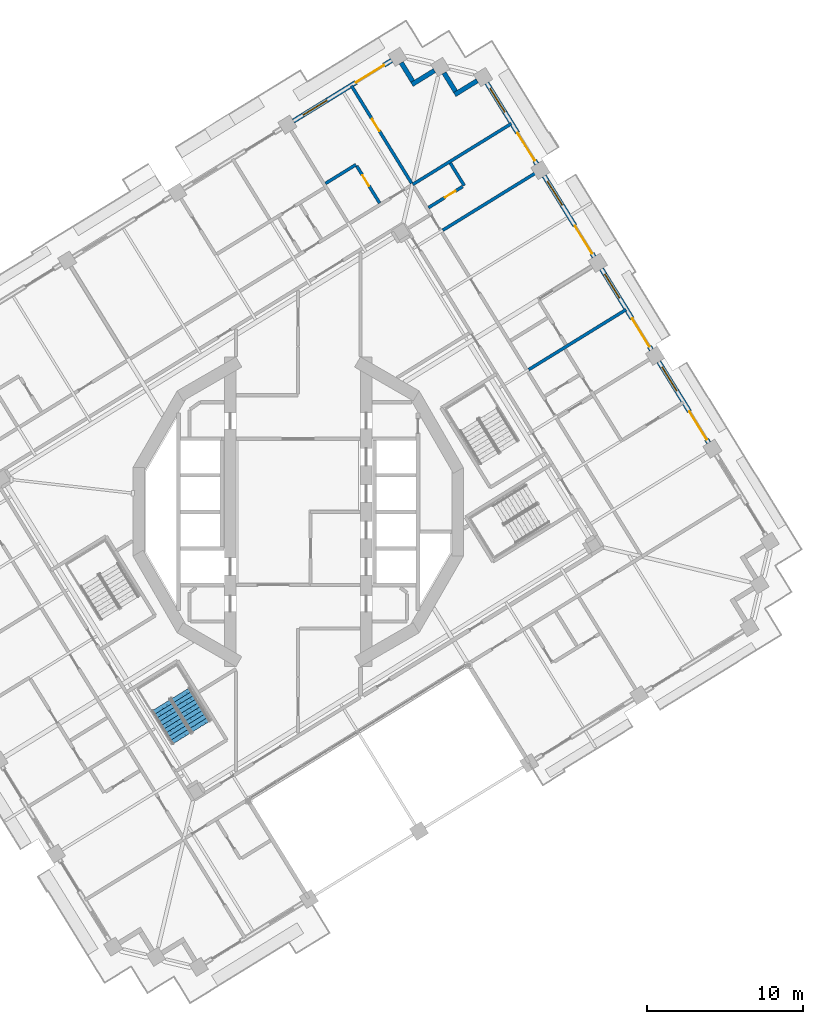
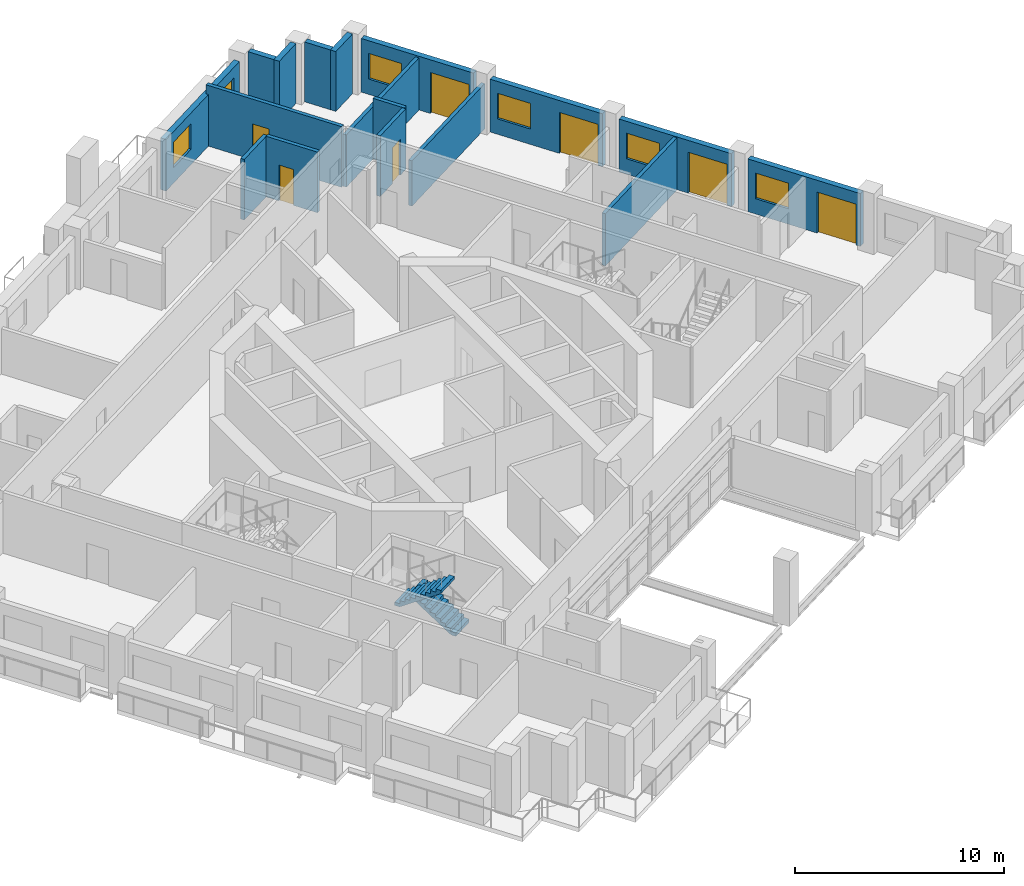
# One storey, part 14 of 22: 17 walls, 8 doors, 5 windows, 2 stair flights, 13 openings, 1 element without a shape of its own.
"""IFC4 building model written with IfcOpenShell, lengths in metres."""

from ifc_helpers import new_model, si_unit, direction, frame, frame_2d, origin, place, context, subcontext, project, spatial, polyline, rectangle, outline, extrude, material, layer, layer_set, type_object, element, fill, aggregate, save


model = new_model("IFC4")

# Units and contexts
model_context = context("Model", 3, precision=1e-05, world=origin(), true_north=direction((0.0, 1.0)))
body_context = subcontext(model_context, "Body", "Model", "MODEL_VIEW")
ifc_project = project(units=[si_unit("LENGTHUNIT", "METRE"), si_unit("AREAUNIT", "SQUARE_METRE"), si_unit("VOLUMEUNIT", "CUBIC_METRE"), si_unit("PLANEANGLEUNIT", "RADIAN"), si_unit("MASSUNIT", "GRAM", prefix="KILO")], contexts=[model_context])

# Site, building, storey
site_placement = place(None, origin())
site = spatial("IfcSite", under=ifc_project, at=site_placement, CompositionType="ELEMENT")
building_placement = place(site_placement, origin())
building = spatial("IfcBuilding", under=site, at=building_placement, Name="Cantera Rosa Tower", CompositionType="ELEMENT")
storey_placement = place(building_placement, frame((0.0, 0.0, 174.199951171875)))
storey = spatial("IfcBuildingStorey", under=building, at=storey_placement, Name="L38", CompositionType="ELEMENT", Elevation=174.199951171875)

# Walls
ifc_material_1 = material(Name="Hollow clay masonry with cantera stone cladding", Category="masonry")
ifc_layer_1 = layer(ifc_material_1, 0.300048828125)
ifc_layer_set_1 = layer_set([ifc_layer_1], Name="EW-LOGGIA 300")
wall_type_1 = type_object("IfcWallType", Name="EW-LOGGIA 300", PredefinedType="SOLIDWALL", material=ifc_layer_set_1)
wall_1_placement = place(storey_placement, frame((11.51123046875, 27.72021484375, 0.0), z_axis=(0.0, 0.0, 1.0), x_axis=(-0.851130227454, -0.524954603669, 0.0)))
element("IfcWall", 1, at=wall_1_placement, inside=storey, type_object=wall_type_1, Name="EN-L38-W06a", PredefinedType="SOLIDWALL", context=body_context, shape_type="SweptSolid", body=[
    extrude(rectangle(XDim=1.699951171875, YDim=0.300048828125, at=frame_2d((0.85009765625, 0.0))), origin(), (0.0, 0.0, 1.0), 3.5),
])
wall_2_placement = place(storey_placement, frame((10.11328125, 27.0341796875, 0.0), z_axis=(0.0, 0.0, 1.0), x_axis=(-0.524895019961, 0.85116697423, 0.0)))
element("IfcWall", 2, at=wall_2_placement, inside=storey, type_object=wall_type_1, Name="EN-L38-W06b", PredefinedType="SOLIDWALL", context=body_context, shape_type="SweptSolid", body=[
    extrude(rectangle(XDim=1.39990234375, YDim=0.300048828125, at=frame_2d((0.699951171875, 0.0))), origin(), (0.0, 0.0, 1.0), 3.5),
])
wall_3_placement = place(storey_placement, frame((8.75927734375, 28.37255859375, 0.0), z_axis=(0.0, 0.0, 1.0), x_axis=(-0.851105638601, -0.524994468487, 0.0)))
element("IfcWall", 3, at=wall_3_placement, inside=storey, type_object=wall_type_1, Name="EN-L38-W07a", PredefinedType="SOLIDWALL", context=body_context, shape_type="SweptSolid", body=[
    extrude(rectangle(XDim=1.7001953125, YDim=0.300048828125, at=frame_2d((0.85009765625, 0.0))), origin(), (0.0, 0.0, 1.0), 3.5),
])
wall_4_placement = place(storey_placement, frame((7.361083984375, 27.6865234375, 0.0), z_axis=(0.0, 0.0, 1.0), x_axis=(-0.524895019961, 0.85116697423, 0.0)))
element("IfcWall", 4, at=wall_4_placement, inside=storey, type_object=wall_type_1, Name="EN-L38-W07b", PredefinedType="SOLIDWALL", context=body_context, shape_type="SweptSolid", body=[
    extrude(rectangle(XDim=1.39990234375, YDim=0.300048828125, at=frame_2d((0.699951171875, 0.0))), origin(), (0.0, 0.0, 1.0), 3.5),
])

# Wall, openings, window, door
ifc_material_2 = material(Name="Hollow clay masonry with cantera stone cladding", Category="masonry")
ifc_layer_2 = layer(ifc_material_2, 0.300048828125)
ifc_layer_set_2 = layer_set([ifc_layer_2], Name="EW-LOGGIA 300 H3020")
wall_type_2 = type_object("IfcWallType", Name="EW-LOGGIA 300 H3020", PredefinedType="SOLIDWALL", material=ifc_layer_set_2)
wall_5_placement = place(storey_placement, frame((6.007080078125, 29.02490234375, 0.0), z_axis=(0.0, 0.0, 1.0), x_axis=(-0.851111085575, -0.524985637909, 0.0)))
wall_5 = element("IfcWall", 5, at=wall_5_placement, inside=storey, type_object=wall_type_2, Name="EN-L38-W08", PredefinedType="SOLIDWALL", context=body_context, shape_type="SweptSolid", body=[
    extrude(rectangle(XDim=7.420166015625, YDim=0.300048828125, at=frame_2d((3.7099609375, 0.0))), origin(), (0.0, 0.0, 1.0), 3.02001953125),
])
opening_1_placement = place(wall_5_placement, frame((0.580078125, 0.0, 0.0)))
opening_1 = element("IfcOpeningElement", 6, at=opening_1_placement, cuts=wall_5, Name="Opening L38-TD11", PredefinedType="OPENING", context=body_context, shape_type="SweptSolid", body=[
    extrude(rectangle(XDim=2.10009765625, YDim=2.39990234375, at=frame_2d((1.050048828125, 1.199951171875))), frame((0.0, 0.159912109375, 0.0), z_axis=(0.0, -1.0, 0.0), x_axis=(1.0, 0.0, 0.0)), (0.0, 0.0, 1.0), 0.320068359375),
])
opening_2_placement = place(wall_5_placement, frame((4.889892578125, 0.0, 0.89990234375)))
opening_2 = element("IfcOpeningElement", 7, at=opening_2_placement, cuts=wall_5, Name="Opening L38-W12", PredefinedType="OPENING", context=body_context, shape_type="SweptSolid", body=[
    extrude(rectangle(XDim=1.800048828125, YDim=1.5, at=frame_2d((0.89990234375, 0.75))), frame((0.0, 0.159912109375, 0.0), z_axis=(0.0, -1.0, 0.0), x_axis=(1.0, 0.0, 0.0)), (0.0, 0.0, 1.0), 0.320068359375),
])
ifc_material_3 = material(Name="Aluminium frame with clear glass", Category="aluminium")
window_type = type_object("IfcWindowType", Name="Hotel room window 1800x1500", PartitioningType="DOUBLE_PANEL_VERTICAL", PredefinedType="WINDOW", material=ifc_material_3)
window_1_placement = place(opening_2_placement, origin())
window_1 = element("IfcWindow", 8, at=window_1_placement, inside=storey, type_object=window_type, Name="WINDOW L38-W12", OverallHeight=1.5, OverallWidth=1.800048828125, PartitioningType="SINGLE_PANEL", PredefinedType="WINDOW", context=body_context, shape_type="SweptSolid", body=[
    extrude(rectangle(XDim=1.800048828125, YDim=1.5, at=frame_2d((0.89990234375, 0.75))), frame((0.0, 0.030029296875, 0.0), z_axis=(0.0, -1.0, 0.0), x_axis=(1.0, 0.0, 0.0)), (0.0, 0.0, 1.0), 0.06005859375),
])
fill(opening_2, window_1)
ifc_material_4 = material(Name="Aluminium frame with clear glass", Category="aluminium")
door_type_1 = type_object("IfcDoorType", Name="TD-H 2100x2400", OperationType="NOTDEFINED", PredefinedType="DOOR", material=ifc_material_4)
door_1_placement = place(opening_1_placement, origin())
door_1 = element("IfcDoor", 9, at=door_1_placement, inside=storey, type_object=door_type_1, Name="LOGGIA DOOR L38-TD11", OperationType="SLIDING_TO_LEFT", OverallHeight=2.39990234375, OverallWidth=2.10009765625, PredefinedType="DOOR", context=body_context, shape_type="SweptSolid", body=[
    extrude(rectangle(XDim=2.10009765625, YDim=2.39990234375, at=frame_2d((1.050048828125, 1.199951171875))), frame((0.0, 0.02490234375, 0.0), z_axis=(0.0, -1.0, 0.0), x_axis=(1.0, 0.0, 0.0)), (0.0, 0.0, 1.0), 0.050048828125),
])
fill(opening_1, door_1)

ifc_material_5 = material(Name="Hollow clay masonry with cantera stone cladding", Category="masonry")
ifc_layer_3 = layer(ifc_material_5, 0.300048828125)
ifc_layer_set_3 = layer_set([ifc_layer_3], Name="EW-LOGGIA 300 H3090")
wall_type_3 = type_object("IfcWallType", Name="EW-LOGGIA 300 H3090", PredefinedType="SOLIDWALL", material=ifc_layer_set_3)
wall_6_placement = place(storey_placement, frame((26.3994140625, 4.440185546875, 0.0), z_axis=(0.0, 0.0, 1.0), x_axis=(-0.524987447654, 0.851109969279, 0.0)))
wall_6 = element("IfcWall", 10, at=wall_6_placement, inside=storey, type_object=wall_type_3, Name="EN-L38-W02", PredefinedType="SOLIDWALL", context=body_context, shape_type="SweptSolid", body=[
    extrude(rectangle(XDim=6.119873046875, YDim=0.300048828125, at=frame_2d((3.06005859375, 0.0))), origin(), (0.0, 0.0, 1.0), 3.090087890625),
])
opening_3_placement = place(wall_6_placement, frame((0.2548828125, 0.0, 0.0)))
opening_3 = element("IfcOpeningElement", 11, at=opening_3_placement, cuts=wall_6, Name="Opening L38-TD03", PredefinedType="OPENING", context=body_context, shape_type="SweptSolid", body=[
    extrude(rectangle(XDim=2.10009765625, YDim=2.39990234375, at=frame_2d((1.050048828125, 1.199951171875))), frame((0.0, 0.159912109375, 0.0), z_axis=(0.0, -1.0, 0.0), x_axis=(1.0, 0.0, 0.0)), (0.0, 0.0, 1.0), 0.320068359375),
])
opening_4_placement = place(wall_6_placement, frame((3.9150390625, 0.0, 0.89990234375)))
opening_4 = element("IfcOpeningElement", 12, at=opening_4_placement, cuts=wall_6, Name="Opening L38-W04", PredefinedType="OPENING", context=body_context, shape_type="SweptSolid", body=[
    extrude(rectangle(XDim=1.800048828125, YDim=1.5, at=frame_2d((0.89990234375, 0.75))), frame((0.0, 0.159912109375, 0.0), z_axis=(0.0, -1.0, 0.0), x_axis=(1.0, 0.0, 0.0)), (0.0, 0.0, 1.0), 0.320068359375),
])
window_2_placement = place(opening_4_placement, origin())
window_2 = element("IfcWindow", 13, at=window_2_placement, inside=storey, type_object=window_type, Name="WINDOW L38-W04", OverallHeight=1.5, OverallWidth=1.800048828125, PartitioningType="SINGLE_PANEL", PredefinedType="WINDOW", context=body_context, shape_type="SweptSolid", body=[
    extrude(rectangle(XDim=1.800048828125, YDim=1.5, at=frame_2d((0.89990234375, 0.75))), frame((0.0, 0.030029296875, 0.0), z_axis=(0.0, -1.0, 0.0), x_axis=(1.0, 0.0, 0.0)), (0.0, 0.0, 1.0), 0.06005859375),
])
fill(opening_4, window_2)
door_2_placement = place(opening_3_placement, origin())
door_2 = element("IfcDoor", 14, at=door_2_placement, inside=storey, type_object=door_type_1, Name="LOGGIA DOOR L38-TD03", OperationType="SLIDING_TO_LEFT", OverallHeight=2.39990234375, OverallWidth=2.10009765625, PredefinedType="DOOR", context=body_context, shape_type="SweptSolid", body=[
    extrude(rectangle(XDim=2.10009765625, YDim=2.39990234375, at=frame_2d((1.050048828125, 1.199951171875))), frame((0.0, 0.02490234375, 0.0), z_axis=(0.0, -1.0, 0.0), x_axis=(1.0, 0.0, 0.0)), (0.0, 0.0, 1.0), 0.050048828125),
])
fill(opening_3, door_2)

wall_7_placement = place(storey_placement, frame((22.714111328125, 10.4150390625, 0.0), z_axis=(0.0, 0.0, 1.0), x_axis=(-0.524987447654, 0.851109969279, 0.0)))
wall_7 = element("IfcWall", 15, at=wall_7_placement, inside=storey, type_object=wall_type_3, Name="EN-L38-W03", PredefinedType="SOLIDWALL", context=body_context, shape_type="SweptSolid", body=[
    extrude(rectangle(XDim=6.119873046875, YDim=0.300048828125, at=frame_2d((3.06005859375, 0.0))), origin(), (0.0, 0.0, 1.0), 3.090087890625),
])
opening_5_placement = place(wall_7_placement, frame((0.2548828125, 0.0, 0.0)))
opening_5 = element("IfcOpeningElement", 16, at=opening_5_placement, cuts=wall_7, Name="Opening L38-TD05", PredefinedType="OPENING", context=body_context, shape_type="SweptSolid", body=[
    extrude(rectangle(XDim=2.10009765625, YDim=2.39990234375, at=frame_2d((1.050048828125, 1.199951171875))), frame((0.0, 0.159912109375, 0.0), z_axis=(0.0, -1.0, 0.0), x_axis=(1.0, 0.0, 0.0)), (0.0, 0.0, 1.0), 0.320068359375),
])
opening_6_placement = place(wall_7_placement, frame((3.9150390625, 0.0, 0.89990234375)))
opening_6 = element("IfcOpeningElement", 17, at=opening_6_placement, cuts=wall_7, Name="Opening L38-W06", PredefinedType="OPENING", context=body_context, shape_type="SweptSolid", body=[
    extrude(rectangle(XDim=1.800048828125, YDim=1.5, at=frame_2d((0.89990234375, 0.75))), frame((0.0, 0.159912109375, 0.0), z_axis=(0.0, -1.0, 0.0), x_axis=(1.0, 0.0, 0.0)), (0.0, 0.0, 1.0), 0.320068359375),
])
window_3_placement = place(opening_6_placement, origin())
window_3 = element("IfcWindow", 18, at=window_3_placement, inside=storey, type_object=window_type, Name="WINDOW L38-W06", OverallHeight=1.5, OverallWidth=1.800048828125, PartitioningType="SINGLE_PANEL", PredefinedType="WINDOW", context=body_context, shape_type="SweptSolid", body=[
    extrude(rectangle(XDim=1.800048828125, YDim=1.5, at=frame_2d((0.89990234375, 0.75))), frame((0.0, 0.030029296875, 0.0), z_axis=(0.0, -1.0, 0.0), x_axis=(1.0, 0.0, 0.0)), (0.0, 0.0, 1.0), 0.06005859375),
])
fill(opening_6, window_3)
door_3_placement = place(opening_5_placement, origin())
door_3 = element("IfcDoor", 19, at=door_3_placement, inside=storey, type_object=door_type_1, Name="LOGGIA DOOR L38-TD05", OperationType="SLIDING_TO_LEFT", OverallHeight=2.39990234375, OverallWidth=2.10009765625, PredefinedType="DOOR", context=body_context, shape_type="SweptSolid", body=[
    extrude(rectangle(XDim=2.10009765625, YDim=2.39990234375, at=frame_2d((1.050048828125, 1.199951171875))), frame((0.0, 0.02490234375, 0.0), z_axis=(0.0, -1.0, 0.0), x_axis=(1.0, 0.0, 0.0)), (0.0, 0.0, 1.0), 0.050048828125),
])
fill(opening_5, door_3)

wall_8_placement = place(storey_placement, frame((19.02880859375, 16.389892578125, 0.0), z_axis=(0.0, 0.0, 1.0), x_axis=(-0.524987447654, 0.851109969279, 0.0)))
wall_8 = element("IfcWall", 20, at=wall_8_placement, inside=storey, type_object=wall_type_3, Name="EN-L38-W04", PredefinedType="SOLIDWALL", context=body_context, shape_type="SweptSolid", body=[
    extrude(rectangle(XDim=6.119873046875, YDim=0.300048828125, at=frame_2d((3.06005859375, 0.0))), origin(), (0.0, 0.0, 1.0), 3.090087890625),
])
opening_7_placement = place(wall_8_placement, frame((0.2548828125, 0.0, 0.0)))
opening_7 = element("IfcOpeningElement", 21, at=opening_7_placement, cuts=wall_8, Name="Opening L38-TD07", PredefinedType="OPENING", context=body_context, shape_type="SweptSolid", body=[
    extrude(rectangle(XDim=2.10009765625, YDim=2.39990234375, at=frame_2d((1.050048828125, 1.199951171875))), frame((0.0, 0.159912109375, 0.0), z_axis=(0.0, -1.0, 0.0), x_axis=(1.0, 0.0, 0.0)), (0.0, 0.0, 1.0), 0.320068359375),
])
opening_8_placement = place(wall_8_placement, frame((3.9150390625, 0.0, 0.89990234375)))
opening_8 = element("IfcOpeningElement", 22, at=opening_8_placement, cuts=wall_8, Name="Opening L38-W08", PredefinedType="OPENING", context=body_context, shape_type="SweptSolid", body=[
    extrude(rectangle(XDim=1.800048828125, YDim=1.5, at=frame_2d((0.89990234375, 0.75))), frame((0.0, 0.159912109375, 0.0), z_axis=(0.0, -1.0, 0.0), x_axis=(1.0, 0.0, 0.0)), (0.0, 0.0, 1.0), 0.320068359375),
])
window_4_placement = place(opening_8_placement, origin())
window_4 = element("IfcWindow", 23, at=window_4_placement, inside=storey, type_object=window_type, Name="WINDOW L38-W08", OverallHeight=1.5, OverallWidth=1.800048828125, PartitioningType="SINGLE_PANEL", PredefinedType="WINDOW", context=body_context, shape_type="SweptSolid", body=[
    extrude(rectangle(XDim=1.800048828125, YDim=1.5, at=frame_2d((0.89990234375, 0.75))), frame((0.0, 0.030029296875, 0.0), z_axis=(0.0, -1.0, 0.0), x_axis=(1.0, 0.0, 0.0)), (0.0, 0.0, 1.0), 0.06005859375),
])
fill(opening_8, window_4)
door_4_placement = place(opening_7_placement, origin())
door_4 = element("IfcDoor", 24, at=door_4_placement, inside=storey, type_object=door_type_1, Name="LOGGIA DOOR L38-TD07", OperationType="SLIDING_TO_LEFT", OverallHeight=2.39990234375, OverallWidth=2.10009765625, PredefinedType="DOOR", context=body_context, shape_type="SweptSolid", body=[
    extrude(rectangle(XDim=2.10009765625, YDim=2.39990234375, at=frame_2d((1.050048828125, 1.199951171875))), frame((0.0, 0.02490234375, 0.0), z_axis=(0.0, -1.0, 0.0), x_axis=(1.0, 0.0, 0.0)), (0.0, 0.0, 1.0), 0.050048828125),
])
fill(opening_7, door_4)

ifc_material_6 = material(Name="Hollow clay masonry with cantera stone cladding", Category="masonry")
ifc_layer_4 = layer(ifc_material_6, 0.300048828125)
ifc_layer_set_4 = layer_set([ifc_layer_4], Name="EW-LOGGIA 300 H3140")
wall_type_4 = type_object("IfcWallType", Name="EW-LOGGIA 300 H3140", PredefinedType="SOLIDWALL", material=ifc_layer_set_4)
wall_9_placement = place(storey_placement, frame((15.343505859375, 22.36474609375, 0.0), z_axis=(0.0, 0.0, 1.0), x_axis=(-0.524987447654, 0.851109969279, 0.0)))
wall_9 = element("IfcWall", 25, at=wall_9_placement, inside=storey, type_object=wall_type_4, Name="EN-L38-W05", PredefinedType="SOLIDWALL", context=body_context, shape_type="SweptSolid", body=[
    extrude(rectangle(XDim=6.119873046875, YDim=0.300048828125, at=frame_2d((3.06005859375, 0.0))), origin(), (0.0, 0.0, 1.0), 3.14013671875),
])
opening_9_placement = place(wall_9_placement, frame((0.2548828125, 0.0, 0.0)))
opening_9 = element("IfcOpeningElement", 26, at=opening_9_placement, cuts=wall_9, Name="Opening L38-TD09", PredefinedType="OPENING", context=body_context, shape_type="SweptSolid", body=[
    extrude(rectangle(XDim=2.10009765625, YDim=2.39990234375, at=frame_2d((1.050048828125, 1.199951171875))), frame((0.0, 0.159912109375, 0.0), z_axis=(0.0, -1.0, 0.0), x_axis=(1.0, 0.0, 0.0)), (0.0, 0.0, 1.0), 0.320068359375),
])
opening_10_placement = place(wall_9_placement, frame((3.9150390625, 0.0, 0.89990234375)))
opening_10 = element("IfcOpeningElement", 27, at=opening_10_placement, cuts=wall_9, Name="Opening L38-W10", PredefinedType="OPENING", context=body_context, shape_type="SweptSolid", body=[
    extrude(rectangle(XDim=1.800048828125, YDim=1.5, at=frame_2d((0.89990234375, 0.75))), frame((0.0, 0.159912109375, 0.0), z_axis=(0.0, -1.0, 0.0), x_axis=(1.0, 0.0, 0.0)), (0.0, 0.0, 1.0), 0.320068359375),
])
window_5_placement = place(opening_10_placement, origin())
window_5 = element("IfcWindow", 28, at=window_5_placement, inside=storey, type_object=window_type, Name="WINDOW L38-W10", OverallHeight=1.5, OverallWidth=1.800048828125, PartitioningType="SINGLE_PANEL", PredefinedType="WINDOW", context=body_context, shape_type="SweptSolid", body=[
    extrude(rectangle(XDim=1.800048828125, YDim=1.5, at=frame_2d((0.89990234375, 0.75))), frame((0.0, 0.030029296875, 0.0), z_axis=(0.0, -1.0, 0.0), x_axis=(1.0, 0.0, 0.0)), (0.0, 0.0, 1.0), 0.06005859375),
])
fill(opening_10, window_5)
door_5_placement = place(opening_9_placement, origin())
door_5 = element("IfcDoor", 29, at=door_5_placement, inside=storey, type_object=door_type_1, Name="LOGGIA DOOR L38-TD09", OperationType="SLIDING_TO_LEFT", OverallHeight=2.39990234375, OverallWidth=2.10009765625, PredefinedType="DOOR", context=body_context, shape_type="SweptSolid", body=[
    extrude(rectangle(XDim=2.10009765625, YDim=2.39990234375, at=frame_2d((1.050048828125, 1.199951171875))), frame((0.0, 0.02490234375, 0.0), z_axis=(0.0, -1.0, 0.0), x_axis=(1.0, 0.0, 0.0)), (0.0, 0.0, 1.0), 0.050048828125),
])
fill(opening_9, door_5)

# Wall
ifc_material_7 = material(Name="Gypsum board partition")
ifc_layer_5 = layer(ifc_material_7, 0.199951171875)
ifc_layer_set_5 = layer_set([ifc_layer_5], Name="PARTITION 200 H3550")
wall_type_5 = type_object("IfcWallType", Name="PARTITION 200 H3550", PredefinedType="PARTITIONING", material=ifc_layer_set_5)
wall_10_placement = place(storey_placement, frame((1.756103515625, 21.11572265625, 0.0), z_axis=(0.0, 0.0, 1.0), x_axis=(0.851125818006, 0.524961752819, 0.0)))
element("IfcWall", 30, at=wall_10_placement, inside=storey, type_object=wall_type_5, Name="PARTITION L38-071", PredefinedType="PARTITIONING", context=body_context, shape_type="SweptSolid", body=[
    extrude(rectangle(XDim=2.30029296875, YDim=0.199951171875, at=frame_2d((1.150146484375, 0.0))), origin(), (0.0, 0.0, 1.0), 3.550048828125),
])

# Wall, opening, door
wall_11_placement = place(storey_placement, frame((3.766357421875, 22.238037109375, 0.0), z_axis=(0.0, 0.0, 1.0), x_axis=(0.5249339773, -0.851142948908, 0.0)))
wall_11 = element("IfcWall", 31, at=wall_11_placement, inside=storey, type_object=wall_type_5, Name="PARTITION L38-073", PredefinedType="PARTITIONING", context=body_context, shape_type="SweptSolid", body=[
    extrude(rectangle(XDim=2.7998046875, YDim=0.199951171875, at=frame_2d((1.39990234375, 0.0))), origin(), (0.0, 0.0, 1.0), 3.550048828125),
])
opening_11_placement = place(wall_11_placement, frame((0.699951171875, 0.0, 0.0)))
opening_11 = element("IfcOpeningElement", 32, at=opening_11_placement, cuts=wall_11, Name="Opening L38-040", PredefinedType="OPENING", context=body_context, shape_type="SweptSolid", body=[
    extrude(rectangle(XDim=0.800048828125, YDim=2.10009765625, at=frame_2d((0.39990234375, 1.050048828125))), frame((0.0, 0.10986328125, 0.0), z_axis=(0.0, -1.0, 0.0), x_axis=(1.0, 0.0, 0.0)), (0.0, 0.0, 1.0), 0.219970703125),
])
ifc_material_8 = material(Name="Timber door leaf", Category="wood")
door_type_2 = type_object("IfcDoorType", Name="BATHROOM DOOR 800x2100", OperationType="NOTDEFINED", PredefinedType="DOOR", material=ifc_material_8)
door_6_placement = place(opening_11_placement, origin())
door_6 = element("IfcDoor", 33, at=door_6_placement, inside=storey, type_object=door_type_2, Name="DOOR L38-040", OperationType="NOTDEFINED", OverallHeight=2.10009765625, OverallWidth=0.800048828125, PredefinedType="DOOR", context=body_context, shape_type="SweptSolid", body=[
    extrude(rectangle(XDim=0.800048828125, YDim=2.10009765625, at=frame_2d((0.39990234375, 1.050048828125))), frame((0.0, 0.02490234375, 0.0), z_axis=(0.0, -1.0, 0.0), x_axis=(1.0, 0.0, 0.0)), (0.0, 0.0, 1.0), 0.050048828125),
])
fill(opening_11, door_6)

wall_12_placement = place(storey_placement, frame((7.2958984375, 21.12548828125, 0.0), z_axis=(0.0, 0.0, 1.0), x_axis=(-0.52498429839, 0.851111911821, 0.0)))
wall_12 = element("IfcWall", 34, at=wall_12_placement, inside=storey, type_object=wall_type_5, Name="PARTITION L38-091", PredefinedType="PARTITIONING", context=body_context, shape_type="SweptSolid", body=[
    extrude(rectangle(XDim=7.3701171875, YDim=0.199951171875, at=frame_2d((3.68505859375, 0.0))), origin(), (0.0, 0.0, 1.0), 3.550048828125),
])
opening_12_placement = place(wall_12_placement, frame((3.949951171875, 0.0, 0.0)))
opening_12 = element("IfcOpeningElement", 35, at=opening_12_placement, cuts=wall_12, Name="Opening L38-041", PredefinedType="OPENING", context=body_context, shape_type="SweptSolid", body=[
    extrude(rectangle(XDim=0.89990234375, YDim=2.10009765625, at=frame_2d((0.449951171875, 1.050048828125))), frame((0.0, 0.10986328125, 0.0), z_axis=(0.0, -1.0, 0.0), x_axis=(1.0, 0.0, 0.0)), (0.0, 0.0, 1.0), 0.219970703125),
])
ifc_material_9 = material(Name="Timber door leaf", Category="wood")
door_type_3 = type_object("IfcDoorType", Name="ROOM DOOR 900x2100", OperationType="NOTDEFINED", PredefinedType="DOOR", material=ifc_material_9)
door_7_placement = place(opening_12_placement, origin())
door_7 = element("IfcDoor", 36, at=door_7_placement, inside=storey, type_object=door_type_3, Name="DOOR L38-041", OperationType="NOTDEFINED", OverallHeight=2.10009765625, OverallWidth=0.89990234375, PredefinedType="DOOR", context=body_context, shape_type="SweptSolid", body=[
    extrude(rectangle(XDim=0.89990234375, YDim=2.10009765625, at=frame_2d((0.449951171875, 1.050048828125))), frame((0.0, 0.02490234375, 0.0), z_axis=(0.0, -1.0, 0.0), x_axis=(1.0, 0.0, 0.0)), (0.0, 0.0, 1.0), 0.050048828125),
])
fill(opening_12, door_7)

# Wall
wall_13_placement = place(storey_placement, frame((9.783935546875, 22.425048828125, 0.0), z_axis=(0.0, 0.0, 1.0), x_axis=(0.525058638144, -0.851066052965, 0.0)))
element("IfcWall", 37, at=wall_13_placement, inside=storey, type_object=wall_type_5, Name="PARTITION L38-100", PredefinedType="PARTITIONING", context=body_context, shape_type="SweptSolid", body=[
    extrude(rectangle(XDim=1.699951171875, YDim=0.199951171875, at=frame_2d((0.85009765625, 0.0))), origin(), (0.0, 0.0, 1.0), 3.550048828125),
])

# Wall, opening, door
wall_14_placement = place(storey_placement, frame((10.57421875, 20.915283203125, 0.0), z_axis=(0.0, 0.0, 1.0), x_axis=(-0.851098989685, -0.525005247362, 0.0)))
wall_14 = element("IfcWall", 38, at=wall_14_placement, inside=storey, type_object=wall_type_5, Name="PARTITION L38-102", PredefinedType="PARTITIONING", context=body_context, shape_type="SweptSolid", body=[
    extrude(rectangle(XDim=2.580078125, YDim=0.199951171875, at=frame_2d((1.2900390625, 0.0))), origin(), (0.0, 0.0, 1.0), 3.550048828125),
])
opening_13_placement = place(wall_14_placement, frame((0.5439453125, 0.0, 0.0)))
opening_13 = element("IfcOpeningElement", 39, at=opening_13_placement, cuts=wall_14, Name="Opening L38-031", PredefinedType="OPENING", context=body_context, shape_type="SweptSolid", body=[
    extrude(rectangle(XDim=0.800048828125, YDim=2.10009765625, at=frame_2d((0.39990234375, 1.050048828125))), frame((0.0, 0.10986328125, 0.0), z_axis=(0.0, -1.0, 0.0), x_axis=(1.0, 0.0, 0.0)), (0.0, 0.0, 1.0), 0.219970703125),
])
door_8_placement = place(opening_13_placement, origin())
door_8 = element("IfcDoor", 40, at=door_8_placement, inside=storey, type_object=door_type_2, Name="DOOR L38-031", OperationType="NOTDEFINED", OverallHeight=2.10009765625, OverallWidth=0.800048828125, PredefinedType="DOOR", context=body_context, shape_type="SweptSolid", body=[
    extrude(rectangle(XDim=0.800048828125, YDim=2.10009765625, at=frame_2d((0.39990234375, 1.050048828125))), frame((0.0, 0.02490234375, 0.0), z_axis=(0.0, -1.0, 0.0), x_axis=(1.0, 0.0, 0.0)), (0.0, 0.0, 1.0), 0.050048828125),
])
fill(opening_13, door_8)

# Walls
ifc_material_10 = material(Name="Gypsum board partition")
ifc_layer_6 = layer(ifc_material_10, 0.199951171875)
ifc_layer_set_6 = layer_set([ifc_layer_6], Name="PARTY WALL 200 H2650")
wall_type_6 = type_object("IfcWallType", Name="PARTY WALL 200 H2650", PredefinedType="PARTITIONING", material=ifc_layer_set_6)
wall_15_placement = place(storey_placement, frame((9.29833984375, 18.107421875, 0.0), z_axis=(0.0, 0.0, 1.0), x_axis=(0.851133272812, 0.524949666075, 0.0)))
element("IfcWall", 41, at=wall_15_placement, inside=storey, type_object=wall_type_6, Name="PARTY WALL L38-099", PredefinedType="PARTITIONING", context=body_context, shape_type="SweptSolid", body=[
    extrude(rectangle(XDim=7.35009765625, YDim=0.199951171875, at=frame_2d((3.675048828125, 0.0))), origin(), (0.0, 0.0, 1.0), 2.650146484375),
])
ifc_material_11 = material(Name="Gypsum board partition")
ifc_layer_7 = layer(ifc_material_11, 0.199951171875)
ifc_layer_set_7 = layer_set([ifc_layer_7], Name="PARTY WALL 200 H3050")
wall_type_7 = type_object("IfcWallType", Name="PARTY WALL 200 H3050", PredefinedType="PARTITIONING", material=ifc_layer_set_7)
wall_16_placement = place(storey_placement, frame((7.365478515625, 21.05078125, 0.0), z_axis=(0.0, 0.0, 1.0), x_axis=(0.851113277303, 0.524982084645, 0.0)))
element("IfcWall", 42, at=wall_16_placement, inside=storey, type_object=wall_type_7, Name="PARTY WALL L38-092", PredefinedType="PARTITIONING", context=body_context, shape_type="SweptSolid", body=[
    extrude(rectangle(XDim=7.449951171875, YDim=0.199951171875, at=frame_2d((3.72509765625, 0.0))), origin(), (0.0, 0.0, 1.0), 3.050048828125),
])
wall_17_placement = place(storey_placement, frame((14.826416015625, 9.14501953125, 0.0), z_axis=(0.0, 0.0, 1.0), x_axis=(0.851118431638, 0.524973728225, 0.0)))
element("IfcWall", 43, at=wall_17_placement, inside=storey, type_object=wall_type_7, Name="PARTY WALL L38-110", PredefinedType="PARTITIONING", context=body_context, shape_type="SweptSolid", body=[
    extrude(rectangle(XDim=7.35009765625, YDim=0.199951171875, at=frame_2d((3.675048828125, 0.0))), origin(), (0.0, 0.0, 1.0), 3.050048828125),
])

# Stair, stair flights
ifc_material_12 = material(Name="Concrete C35/45", Category="concrete")
stair_type = type_object("IfcStairType", Name="EXIT STAIR 1350 DOGLEG", PredefinedType="HALF_TURN_STAIR", material=ifc_material_12)
stair_placement = place(storey_placement, origin())
stair = element("IfcStair", 44, at=stair_placement, inside=storey, type_object=stair_type, Name="L38 ST-33", PredefinedType="HALF_TURN_STAIR")
ifc_material_13 = material(Name="Concrete C35/45", Category="concrete")
stair_flight_type = type_object("IfcStairFlightType", Name="STAIR FLIGHT 1350 R20x190", PredefinedType="STRAIGHT", material=ifc_material_13)
stair_flight_1_placement = place(storey_placement, frame((-6.226806640625, -13.7978515625, 0.0), z_axis=(0.0, 0.0, 1.0), x_axis=(-0.524976585286, 0.851116669383, 0.0)))
stair_flight_1 = element("IfcStairFlight", 45, at=stair_flight_1_placement, type_object=stair_flight_type, Name="ST-33 flight 1", NumberOfRisers=10, NumberOfTreads=9, PredefinedType="STRAIGHT", RiserHeight=0.19, TreadLength=0.28, context=body_context, shape_type="SweptSolid", body=[
    extrude(outline(polyline([(0.0, 0.0), (0.0, 0.18994140625), (0.280029296875, 0.18994140625), (0.280029296875, 0.3798828125), (0.56005859375, 0.3798828125), (0.56005859375, 0.570068359375), (0.840087890625, 0.570068359375), (0.840087890625, 0.760009765625), (1.1201171875, 0.760009765625), (1.1201171875, 0.949951171875), (1.39990234375, 0.949951171875), (1.39990234375, 1.139892578125), (1.679931640625, 1.139892578125), (1.679931640625, 1.330078125), (1.9599609375, 1.330078125), (1.9599609375, 1.52001953125), (2.239990234375, 1.52001953125), (2.239990234375, 1.7099609375), (2.52001953125, 1.7099609375), (2.52001953125, 1.89990234375), (2.52001953125, 1.52880859375), (0.266845703125, 0.0), (0.0, 0.0)])), frame((0.0, 0.675048828125, 0.0), z_axis=(0.0, -1.0, 0.0), x_axis=(1.0, 0.0, 0.0)), (0.0, 0.0, 1.0), 0.3359375),
    extrude(outline(polyline([(0.0, 0.0), (0.0, 0.18994140625), (0.280029296875, 0.18994140625), (0.280029296875, 0.3798828125), (0.56005859375, 0.3798828125), (0.56005859375, 0.570068359375), (0.840087890625, 0.570068359375), (0.840087890625, 0.760009765625), (1.1201171875, 0.760009765625), (1.1201171875, 0.949951171875), (1.39990234375, 0.949951171875), (1.39990234375, 1.139892578125), (1.679931640625, 1.139892578125), (1.679931640625, 1.330078125), (1.9599609375, 1.330078125), (1.9599609375, 1.52001953125), (2.239990234375, 1.52001953125), (2.239990234375, 1.7099609375), (2.52001953125, 1.7099609375), (2.52001953125, 1.89990234375), (2.52001953125, 1.52880859375), (0.266845703125, 0.0), (0.0, 0.0)])), frame((0.0, 0.337158203125, 0.0), z_axis=(0.0, -1.0, 0.0), x_axis=(1.0, 0.0, 0.0)), (0.0, 0.0, 1.0), 0.3359375),
    extrude(outline(polyline([(0.0, 0.0), (0.0, 0.18994140625), (0.280029296875, 0.18994140625), (0.280029296875, 0.3798828125), (0.56005859375, 0.3798828125), (0.56005859375, 0.570068359375), (0.840087890625, 0.570068359375), (0.840087890625, 0.760009765625), (1.1201171875, 0.760009765625), (1.1201171875, 0.949951171875), (1.39990234375, 0.949951171875), (1.39990234375, 1.139892578125), (1.679931640625, 1.139892578125), (1.679931640625, 1.330078125), (1.9599609375, 1.330078125), (1.9599609375, 1.52001953125), (2.239990234375, 1.52001953125), (2.239990234375, 1.7099609375), (2.52001953125, 1.7099609375), (2.52001953125, 1.89990234375), (2.52001953125, 1.52880859375), (0.266845703125, 0.0), (0.0, 0.0)])), frame((0.0, -0.000732421875, 0.0), z_axis=(0.0, -1.0, 0.0), x_axis=(1.0, 0.0, 0.0)), (0.0, 0.0, 1.0), 0.3359375),
    extrude(outline(polyline([(0.0, 0.0), (0.0, 0.18994140625), (0.280029296875, 0.18994140625), (0.280029296875, 0.3798828125), (0.56005859375, 0.3798828125), (0.56005859375, 0.570068359375), (0.840087890625, 0.570068359375), (0.840087890625, 0.760009765625), (1.1201171875, 0.760009765625), (1.1201171875, 0.949951171875), (1.39990234375, 0.949951171875), (1.39990234375, 1.139892578125), (1.679931640625, 1.139892578125), (1.679931640625, 1.330078125), (1.9599609375, 1.330078125), (1.9599609375, 1.52001953125), (2.239990234375, 1.52001953125), (2.239990234375, 1.7099609375), (2.52001953125, 1.7099609375), (2.52001953125, 1.89990234375), (2.52001953125, 1.52880859375), (0.266845703125, 0.0), (0.0, 0.0)])), frame((0.0, -0.338623046875, 0.0), z_axis=(0.0, -1.0, 0.0), x_axis=(1.0, 0.0, 0.0)), (0.0, 0.0, 1.0), 0.3359375),
])
stair_flight_2_placement = place(storey_placement, frame((-8.826416015625, -12.4404296875, 1.900146484375), z_axis=(0.0, 0.0, 1.0), x_axis=(0.524976585286, -0.851116669383, 0.0)))
stair_flight_2 = element("IfcStairFlight", 46, at=stair_flight_2_placement, type_object=stair_flight_type, Name="ST-33 flight 2", NumberOfRisers=10, NumberOfTreads=9, PredefinedType="STRAIGHT", RiserHeight=0.19, TreadLength=0.28, context=body_context, shape_type="SweptSolid", body=[
    extrude(outline(polyline([(0.0, 0.0), (0.0, 0.18994140625), (0.280029296875, 0.18994140625), (0.280029296875, 0.3798828125), (0.56005859375, 0.3798828125), (0.56005859375, 0.570068359375), (0.840087890625, 0.570068359375), (0.840087890625, 0.760009765625), (1.1201171875, 0.760009765625), (1.1201171875, 0.949951171875), (1.39990234375, 0.949951171875), (1.39990234375, 1.139892578125), (1.679931640625, 1.139892578125), (1.679931640625, 1.330078125), (1.9599609375, 1.330078125), (1.9599609375, 1.52001953125), (2.239990234375, 1.52001953125), (2.239990234375, 1.7099609375), (2.52001953125, 1.7099609375), (2.52001953125, 1.89990234375), (2.52001953125, 1.52880859375), (0.266845703125, 0.0), (0.0, 0.0)])), frame((0.0, 0.675048828125, 0.0), z_axis=(0.0, -1.0, 0.0), x_axis=(1.0, 0.0, 0.0)), (0.0, 0.0, 1.0), 0.3359375),
    extrude(outline(polyline([(0.0, 0.0), (0.0, 0.18994140625), (0.280029296875, 0.18994140625), (0.280029296875, 0.3798828125), (0.56005859375, 0.3798828125), (0.56005859375, 0.570068359375), (0.840087890625, 0.570068359375), (0.840087890625, 0.760009765625), (1.1201171875, 0.760009765625), (1.1201171875, 0.949951171875), (1.39990234375, 0.949951171875), (1.39990234375, 1.139892578125), (1.679931640625, 1.139892578125), (1.679931640625, 1.330078125), (1.9599609375, 1.330078125), (1.9599609375, 1.52001953125), (2.239990234375, 1.52001953125), (2.239990234375, 1.7099609375), (2.52001953125, 1.7099609375), (2.52001953125, 1.89990234375), (2.52001953125, 1.52880859375), (0.266845703125, 0.0), (0.0, 0.0)])), frame((0.0, 0.337158203125, 0.0), z_axis=(0.0, -1.0, 0.0), x_axis=(1.0, 0.0, 0.0)), (0.0, 0.0, 1.0), 0.3359375),
    extrude(outline(polyline([(0.0, 0.0), (0.0, 0.18994140625), (0.280029296875, 0.18994140625), (0.280029296875, 0.3798828125), (0.56005859375, 0.3798828125), (0.56005859375, 0.570068359375), (0.840087890625, 0.570068359375), (0.840087890625, 0.760009765625), (1.1201171875, 0.760009765625), (1.1201171875, 0.949951171875), (1.39990234375, 0.949951171875), (1.39990234375, 1.139892578125), (1.679931640625, 1.139892578125), (1.679931640625, 1.330078125), (1.9599609375, 1.330078125), (1.9599609375, 1.52001953125), (2.239990234375, 1.52001953125), (2.239990234375, 1.7099609375), (2.52001953125, 1.7099609375), (2.52001953125, 1.89990234375), (2.52001953125, 1.52880859375), (0.266845703125, 0.0), (0.0, 0.0)])), frame((0.0, -0.000732421875, 0.0), z_axis=(0.0, -1.0, 0.0), x_axis=(1.0, 0.0, 0.0)), (0.0, 0.0, 1.0), 0.3359375),
    extrude(outline(polyline([(0.0, 0.0), (0.0, 0.18994140625), (0.280029296875, 0.18994140625), (0.280029296875, 0.3798828125), (0.56005859375, 0.3798828125), (0.56005859375, 0.570068359375), (0.840087890625, 0.570068359375), (0.840087890625, 0.760009765625), (1.1201171875, 0.760009765625), (1.1201171875, 0.949951171875), (1.39990234375, 0.949951171875), (1.39990234375, 1.139892578125), (1.679931640625, 1.139892578125), (1.679931640625, 1.330078125), (1.9599609375, 1.330078125), (1.9599609375, 1.52001953125), (2.239990234375, 1.52001953125), (2.239990234375, 1.7099609375), (2.52001953125, 1.7099609375), (2.52001953125, 1.89990234375), (2.52001953125, 1.52880859375), (0.266845703125, 0.0), (0.0, 0.0)])), frame((0.0, -0.338623046875, 0.0), z_axis=(0.0, -1.0, 0.0), x_axis=(1.0, 0.0, 0.0)), (0.0, 0.0, 1.0), 0.3359375),
])
aggregate(stair, [stair_flight_1, stair_flight_2])

save(model, "model.ifc")
